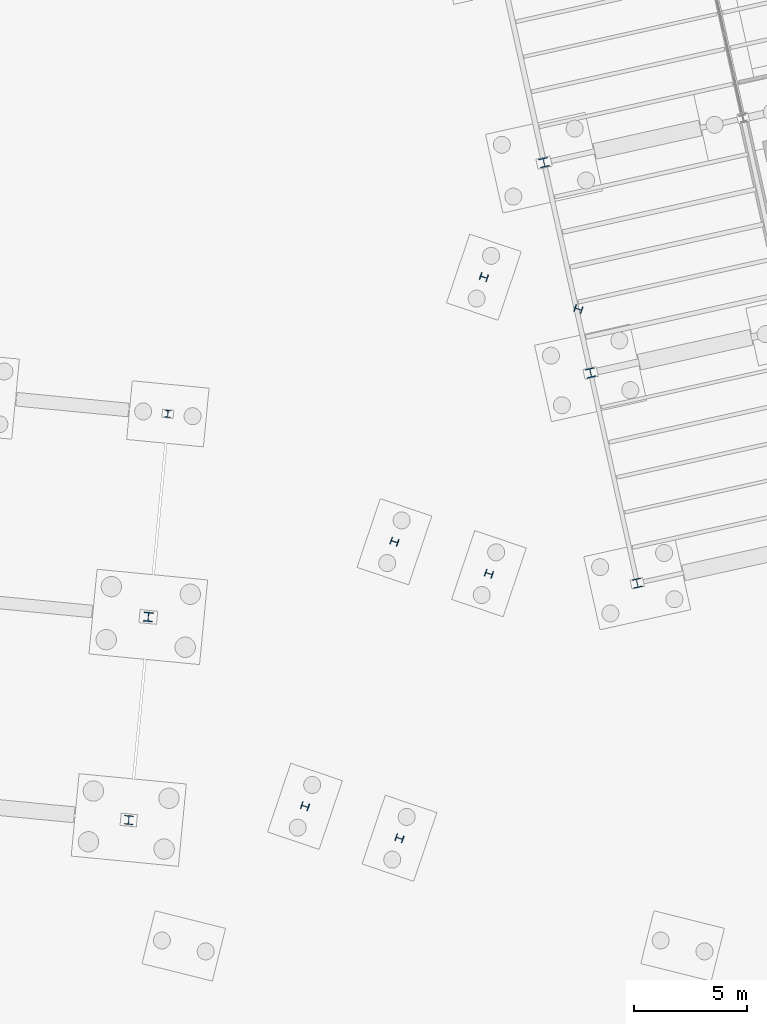
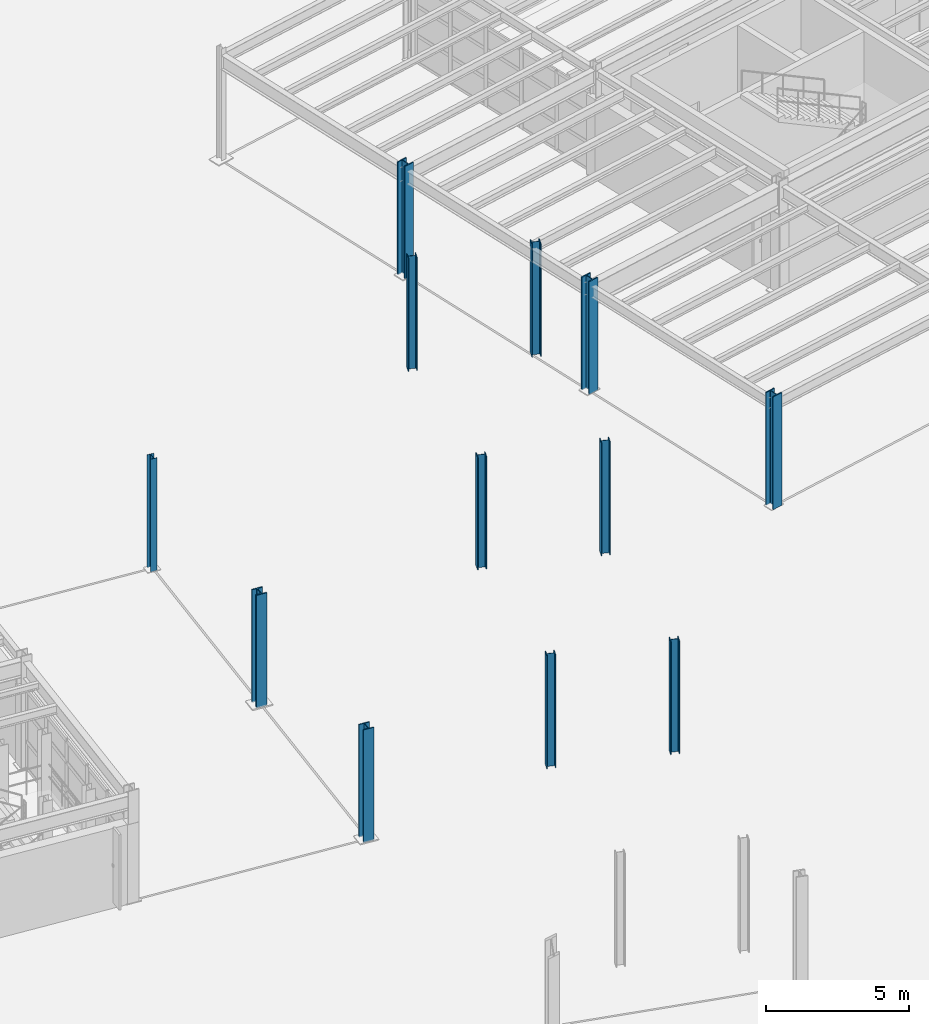
# One storey, part 26 of 108: 12 columns.
"""IFC4 building model written with IfcOpenShell, lengths in metres."""

from ifc_helpers import new_model, si_unit, direction, frame, origin, origin_2d, place, context, subcontext, project, spatial, i_section, extrude, material, material_profile, profile_set, type_object, element, save


model = new_model("IFC4")

# Units and contexts
model_context = context("Model", 3, precision=1e-05, world=origin(), true_north=direction((0.0, 1.0)))
body_context = subcontext(model_context, "Body", "Model", "MODEL_VIEW")
ifc_project = project(units=[si_unit("LENGTHUNIT", "METRE"), si_unit("AREAUNIT", "SQUARE_METRE"), si_unit("VOLUMEUNIT", "CUBIC_METRE"), si_unit("PLANEANGLEUNIT", "RADIAN"), si_unit("MASSUNIT", "GRAM", prefix="KILO")], contexts=[model_context])

# Site, building, storey
site_placement = place(None, origin())
site = spatial("IfcSite", under=ifc_project, at=site_placement, CompositionType="ELEMENT")
building_placement = place(site_placement, origin())
building = spatial("IfcBuilding", under=site, at=building_placement, Name="Vireo Bluff Cable Station", CompositionType="ELEMENT")
storey_placement = place(building_placement, origin())
storey = spatial("IfcBuildingStorey", under=building, at=storey_placement, Name="L00", CompositionType="ELEMENT", Elevation=0.0)

# Columns
ifc_material = material(Name="Steel ASTM A992 Gr. 50", Category="steel")
ifc_material_profile_1 = material_profile(ifc_material, i_section(OverallWidth=0.404052734375, OverallDepth=0.406005859375, WebThickness=0.027099609375, FlangeThickness=0.043701171875, FilletRadius=0.014892578125, at=origin_2d()), Name="W14X233")
ifc_profile_set_1 = profile_set([ifc_material_profile_1], Name="Steel ASTM A992 Gr. 50")
column_type_1 = type_object("IfcColumnType", Name="COL-W14X233", PredefinedType="COLUMN", material=ifc_profile_set_1)
for number, where, z_axis, x_axis, name in (
    (1, (126.0, 74.0, 0.0), (0.0, 0.0, 1.0), (0.97629600712, 0.216439613938, 0.0), "V2 L00 column 123"),
    (2, (121.8876953125, 92.549560546875, 0.0), (0.0, 0.0, 1.0), (0.97629600712, 0.216439613938, 0.0), "V2 L00 column 129"),
):
    element("IfcColumn", number, at=place(storey_placement, frame(where, z_axis=z_axis, x_axis=x_axis)), inside=storey, type_object=column_type_1, Name=name, PredefinedType="COLUMN", context=body_context, shape_type="SweptSolid", body=[
        extrude(i_section(OverallWidth=0.404052734375, OverallDepth=0.406005859375, WebThickness=0.027099609375, FlangeThickness=0.043701171875, FilletRadius=0.014892578125, at=origin_2d()), origin(), (0.0, 0.0, 1.0), 4.800048828125),
    ])
ifc_material_profile_2 = material_profile(ifc_material, i_section(OverallWidth=0.408935546875, OverallDepth=0.424072265625, WebThickness=0.03271484375, FlangeThickness=0.052490234375, FilletRadius=0.014892578125, at=origin_2d()), Name="W14X283")
ifc_profile_set_2 = profile_set([ifc_material_profile_2], Name="Steel ASTM A992 Gr. 50")
column_type_2 = type_object("IfcColumnType", Name="COL-W14X283", PredefinedType="COLUMN", material=ifc_profile_set_2)
column_1_placement = place(storey_placement, frame((104.43505859375, 72.511962890625, 0.0), z_axis=(0.0, 0.0, 1.0), x_axis=(0.995396198367, -0.09584575252, 0.0)))
element("IfcColumn", 3, at=column_1_placement, inside=storey, type_object=column_type_2, Name="V3 L00 column 240", PredefinedType="COLUMN", context=body_context, shape_type="SweptSolid", body=[
    extrude(i_section(OverallWidth=0.408935546875, OverallDepth=0.424072265625, WebThickness=0.03271484375, FlangeThickness=0.052490234375, FilletRadius=0.014892578125, at=origin_2d()), origin(), (0.0, 0.0, 1.0), 4.800048828125),
])
ifc_material_profile_3 = material_profile(ifc_material, i_section(OverallWidth=0.31298828125, OverallDepth=0.3330078125, WebThickness=0.01806640625, FlangeThickness=0.028076171875, FilletRadius=0.012939453125, at=origin_2d()), Name="W12X120")
ifc_profile_set_3 = profile_set([ifc_material_profile_3], Name="Steel ASTM A992 Gr. 50")
column_type_3 = type_object("IfcColumnType", Name="ECOL-W12X120", PredefinedType="COLUMN", material=ifc_profile_set_3)
for number, where, z_axis, x_axis, name in (
    (4, (115.512939453125, 62.748779296875, 0.0), (0.0, 0.0, 1.0), (0.32035190998, 0.947298608556, 0.0), "HAUL-DRIVE skybridge column 2L L00"),
    (5, (111.3447265625, 64.158203125, 0.0), (0.0, 0.0, 1.0), (0.32035190998, 0.947298608556, 0.0), "HAUL-DRIVE skybridge column 2R L00"),
    (6, (119.45947265625, 74.4189453125, 0.0), (0.0, 0.0, 1.0), (0.32035190998, 0.947298608556, 0.0), "HAUL-DRIVE skybridge column 3L L00"),
    (7, (115.291259765625, 75.82861328125, 0.0), (0.0, 0.0, 1.0), (0.32035190998, 0.947298608556, 0.0), "HAUL-DRIVE skybridge column 3R L00"),
    (8, (123.40478515625, 86.085693359375, 0.0), (0.0, 0.0, 1.0), (0.32035190998, 0.947298608556, 0.0), "HAUL-DRIVE skybridge column 4L L00"),
    (9, (119.236572265625, 87.4951171875, 0.0), (0.0, 0.0, 1.0), (0.32035190998, 0.947298608556, 0.0), "HAUL-DRIVE skybridge column 4R L00"),
):
    element("IfcColumn", number, at=place(storey_placement, frame(where, z_axis=z_axis, x_axis=x_axis)), inside=storey, type_object=column_type_3, Name=name, PredefinedType="COLUMN", context=body_context, shape_type="SweptSolid", body=[
        extrude(i_section(OverallWidth=0.31298828125, OverallDepth=0.3330078125, WebThickness=0.01806640625, FlangeThickness=0.028076171875, FilletRadius=0.012939453125, at=origin_2d()), origin(), (0.0, 0.0, 1.0), 4.800048828125),
    ])
ifc_material_profile_4 = material_profile(ifc_material, i_section(OverallWidth=0.40087890625, OverallDepth=0.39892578125, WebThickness=0.02490234375, FlangeThickness=0.03955078125, FilletRadius=0.014892578125, at=origin_2d()), Name="W14X211")
ifc_profile_set_4 = profile_set([ifc_material_profile_4], Name="Steel ASTM A992 Gr. 50")
column_type_4 = type_object("IfcColumnType", Name="ECOL-W14X211", PredefinedType="COLUMN", material=ifc_profile_set_4)
column_2_placement = place(storey_placement, frame((103.572265625, 63.553466796875, 0.0), z_axis=(0.0, 0.0, 1.0), x_axis=(0.995396198367, -0.09584575252, 0.0)))
element("IfcColumn", 10, at=column_2_placement, inside=storey, type_object=column_type_4, Name="V3 L00 column 237", PredefinedType="COLUMN", context=body_context, shape_type="SweptSolid", body=[
    extrude(i_section(OverallWidth=0.40087890625, OverallDepth=0.39892578125, WebThickness=0.02490234375, FlangeThickness=0.03955078125, FilletRadius=0.014892578125, at=origin_2d()), origin(), (0.0, 0.0, 1.0), 4.800048828125),
])
ifc_material_profile_5 = material_profile(ifc_material, i_section(OverallWidth=0.406005859375, OverallDepth=0.4169921875, WebThickness=0.02978515625, FlangeThickness=0.048095703125, FilletRadius=0.014892578125, at=origin_2d()), Name="W14X257")
ifc_profile_set_5 = profile_set([ifc_material_profile_5], Name="Steel ASTM A992 Gr. 50")
column_type_5 = type_object("IfcColumnType", Name="ECOL-W14X257", PredefinedType="COLUMN", material=ifc_profile_set_5)
column_3_placement = place(storey_placement, frame((123.94384765625, 83.27490234375, 0.0), z_axis=(0.0, 0.0, 1.0), x_axis=(0.97629600712, 0.216439613938, 0.0)))
element("IfcColumn", 11, at=column_3_placement, inside=storey, type_object=column_type_5, Name="V2 L00 column 126", PredefinedType="COLUMN", context=body_context, shape_type="SweptSolid", body=[
    extrude(i_section(OverallWidth=0.406005859375, OverallDepth=0.4169921875, WebThickness=0.02978515625, FlangeThickness=0.048095703125, FilletRadius=0.014892578125, at=origin_2d()), origin(), (0.0, 0.0, 1.0), 4.800048828125),
])
ifc_material_profile_6 = material_profile(ifc_material, i_section(OverallWidth=0.25390625, OverallDepth=0.305908203125, WebThickness=0.0087890625, FlangeThickness=0.0146484375, FilletRadius=0.010986328125, at=origin_2d()), Name="W12X53")
ifc_profile_set_6 = profile_set([ifc_material_profile_6], Name="Steel ASTM A992 Gr. 50")
column_type_6 = type_object("IfcColumnType", Name="PIL-W12X53", PredefinedType="PILASTER", material=ifc_profile_set_6)
column_4_placement = place(storey_placement, frame((105.297607421875, 81.470458984375, 0.0), z_axis=(0.0, 0.0, 1.0), x_axis=(0.995396198367, -0.09584575252, 0.0)))
element("IfcColumn", 12, at=column_4_placement, inside=storey, type_object=column_type_6, Name="V3 L00 column 243", PredefinedType="PILASTER", context=body_context, shape_type="SweptSolid", body=[
    extrude(i_section(OverallWidth=0.25390625, OverallDepth=0.305908203125, WebThickness=0.0087890625, FlangeThickness=0.0146484375, FilletRadius=0.010986328125, at=origin_2d()), origin(), (0.0, 0.0, 1.0), 4.800048828125),
])

save(model, "model.ifc")
